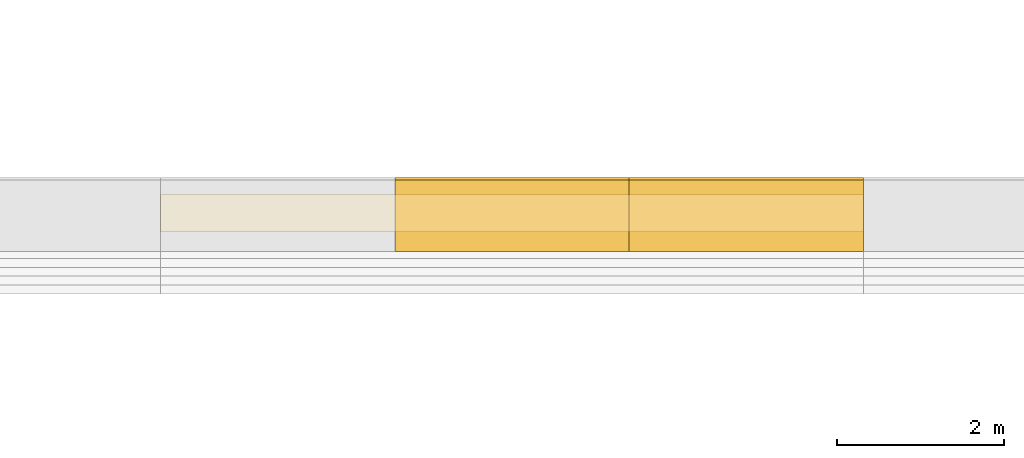
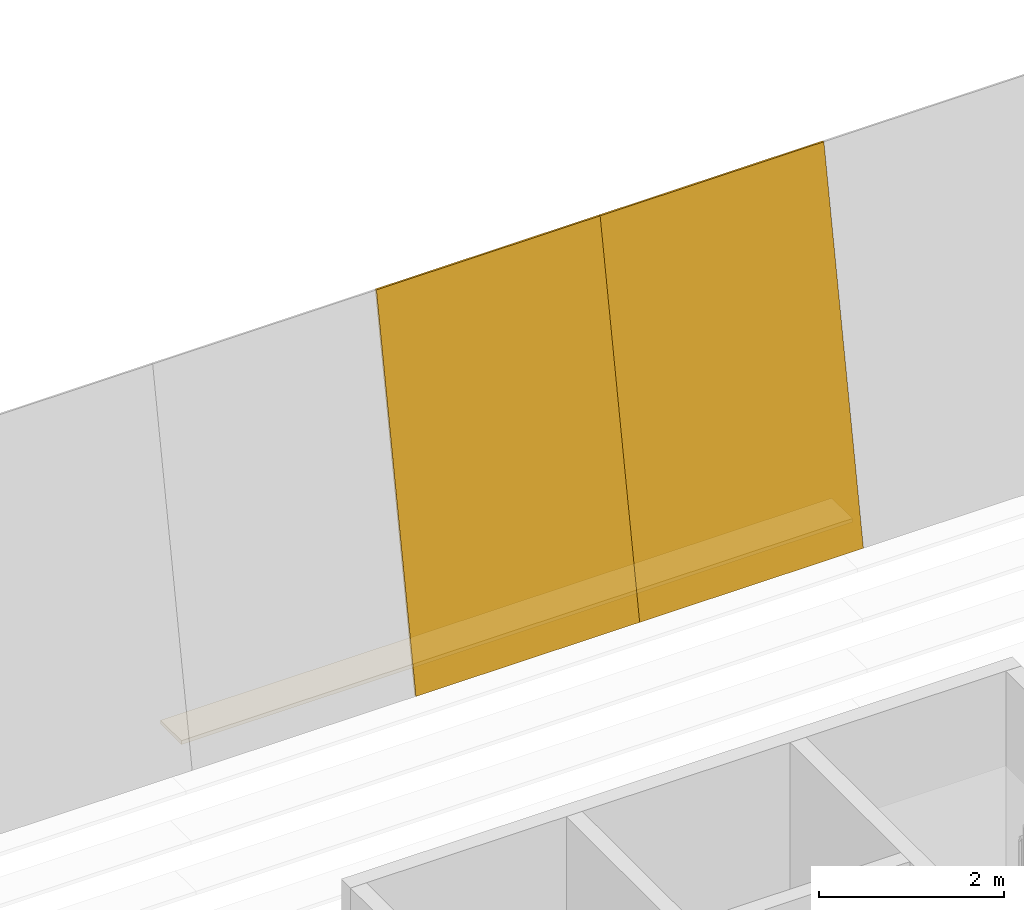
# One storey, part 75 of 82: 3 coverings.
"""IFC4 building model written with IfcOpenShell, lengths in metres."""

from ifc_helpers import new_model, si_unit, direction, frame, origin, origin_2d, place, context, subcontext, project, spatial, polyline, rectangle, outline, extrude, material, layer, layer_set, material_profile, profile_set, type_object, element, save


model = new_model("IFC4")

# Units and contexts
model_context = context("Model", 3, precision=1e-05, world=origin(), true_north=direction((0.0, 1.0)))
body_context = subcontext(model_context, "Body", "Model", "MODEL_VIEW")
ifc_project = project(units=[si_unit("LENGTHUNIT", "METRE"), si_unit("AREAUNIT", "SQUARE_METRE"), si_unit("VOLUMEUNIT", "CUBIC_METRE"), si_unit("PLANEANGLEUNIT", "RADIAN"), si_unit("MASSUNIT", "GRAM", prefix="KILO")], contexts=[model_context])

# Site, building, storey
site_placement = place(None, origin())
site = spatial("IfcSite", under=ifc_project, at=site_placement, CompositionType="ELEMENT")
building_placement = place(site_placement, origin())
building = spatial("IfcBuilding", under=site, at=building_placement, Name="Almond Square Museum", CompositionType="ELEMENT")
storey_placement = place(building_placement, frame((0.0, 0.0, 20.0)))
storey = spatial("IfcBuildingStorey", under=building, at=storey_placement, Name="L03", CompositionType="ELEMENT", Elevation=20.0)

# Coverings
ifc_material_1 = material(Name="Cedar timber louvre board", Category="wood")
ifc_material_profile = material_profile(ifc_material_1, rectangle(XDim=0.449951171875, YDim=0.050048828125, at=origin_2d()))
ifc_profile_set = profile_set([ifc_material_profile], Name="Cedar timber louvre board")
covering_type_1 = type_object("IfcCoveringType", Name="Louvre board 450 x 50", PredefinedType="CLADDING", material=ifc_profile_set)
covering_placement = place(storey_placement, frame((123.60009765625, 112.891845703125, 4.699951171875), z_axis=(1.0, 0.0, 0.0), x_axis=(0.0, 1.0, 0.0)))
element("IfcCovering", 1, at=covering_placement, inside=storey, type_object=covering_type_1, Name="Louvre board N30.03", PredefinedType="CLADDING", context=body_context, shape_type="SweptSolid", body=[
    extrude(rectangle(XDim=0.449951171875, YDim=0.050048828125, at=origin_2d()), origin(), (0.0, 0.0, 1.0), 8.39990234375),
])
ifc_material_2 = material(Name="Cedar timber sheathing panel", Category="wood")
ifc_layer = layer(ifc_material_2, 0.030029296875)
ifc_layer_set = layer_set([ifc_layer], Name="Cedar timber sheathing panel")
covering_type_2 = type_object("IfcCoveringType", Name="Louvre rain-screen backing panel 30", PredefinedType="CLADDING", material=ifc_layer_set)
for number, where, z_axis, x_axis, name in (
    (2, (126.39990234375, 112.4462890625, 4.469970703125), (0.0, -0.984808947576, 0.173641402823), (1.0, 0.0, 0.0), "Louvre rain-screen backing panel N08.06"),
    (3, (129.199951171875, 112.4462890625, 4.469970703125), (0.0, -0.984808947576, 0.173641402823), (1.0, 0.0, 0.0), "Louvre rain-screen backing panel N09.06"),
):
    element("IfcCovering", number, at=place(storey_placement, frame(where, z_axis=z_axis, x_axis=x_axis)), inside=storey, type_object=covering_type_2, Name=name, PredefinedType="CLADDING", context=body_context, shape_type="SweptSolid", body=[
        extrude(outline(polyline([(0.0, 0.0), (2.800048828125, 0.0), (2.800048828125, 4.935076426587713), (0.0, 4.935076426587713), (0.0, 0.0)])), frame((0.0, 0.0, -0.01513671875)), (0.0, 0.0, 1.0), 0.030029296875),
    ])

save(model, "model.ifc")
